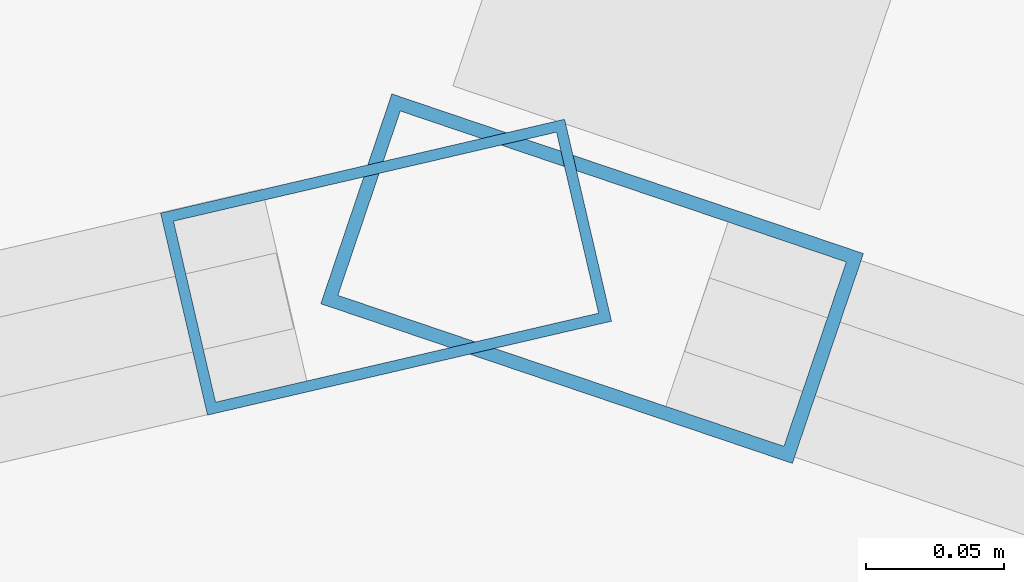
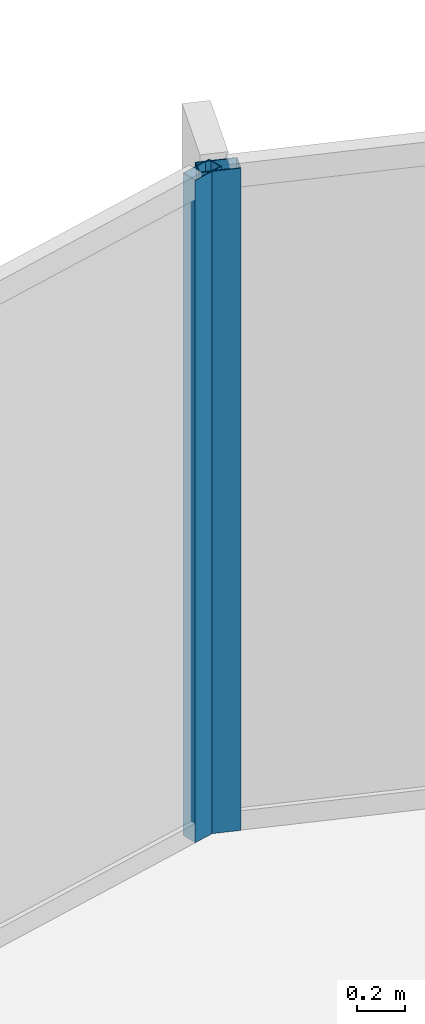
# One storey, part 23 of 31: 2 members, 2 elements without a shape of their own.
"""IFC4 building model written with IfcOpenShell, lengths in metres."""

from ifc_helpers import new_model, si_unit, direction, frame, origin, origin_2d, place, context, subcontext, project, spatial, hollow_rectangle, extrude, material, layer, layer_set, material_profile, profile_set, type_object, element, aggregate, save


model = new_model("IFC4")

# Units and contexts
model_context = context("Model", 3, precision=1e-05, world=origin(), true_north=direction((0.0, 1.0)))
body_context = subcontext(model_context, "Body", "Model", "MODEL_VIEW")
ifc_project = project(units=[si_unit("LENGTHUNIT", "METRE"), si_unit("AREAUNIT", "SQUARE_METRE"), si_unit("VOLUMEUNIT", "CUBIC_METRE"), si_unit("PLANEANGLEUNIT", "RADIAN"), si_unit("MASSUNIT", "GRAM", prefix="KILO")], contexts=[model_context])

# Site, building, storey
site_placement = place(None, origin())
site = spatial("IfcSite", under=ifc_project, at=site_placement, CompositionType="ELEMENT")
building_placement = place(site_placement, origin())
building = spatial("IfcBuilding", under=site, at=building_placement, Name="Kazevale Care Tower and Concert Hall", CompositionType="ELEMENT")
storey_placement = place(building_placement, frame((0.0, 0.0, 78.0)))
storey = spatial("IfcBuildingStorey", under=building, at=storey_placement, Name="L20", CompositionType="ELEMENT", Elevation=78.0)

# Curtain wall, member
ifc_material_1 = material(Name="Aluminium 6063-T6 and Low-E Glass", Category="aluminium")
ifc_layer_1 = layer(ifc_material_1, 0.179931640625)
ifc_layer_set_1 = layer_set([ifc_layer_1], Name="Aluminium 6063-T6 and Low-E Glass")
curtain_wall_type_1 = type_object("IfcCurtainWallType", Name="Convex Checkerboard Finned Curtain Wall CW-2", PredefinedType="NOTDEFINED", material=ifc_layer_set_1)
curtain_wall_1_placement = place(storey_placement, origin())
curtain_wall_1 = element("IfcCurtainWall", 1, at=curtain_wall_1_placement, inside=storey, type_object=curtain_wall_type_1, Name="cw:L20:f16", PredefinedType="NOTDEFINED")
ifc_material_2 = material(Name="Aluminium 6063-T6", Category="aluminium")
ifc_material_profile_1 = material_profile(ifc_material_2, hollow_rectangle(XDim=0.080078125, YDim=0.179931640625, WallThickness=0.0048828125, at=origin_2d()), Name="ALU80x180x5")
ifc_profile_set_1 = profile_set([ifc_material_profile_1], Name="Aluminium 6063-T6")
member_type_1 = type_object("IfcMemberType", Name="CW-2 Mullion ALU80x180x5", PredefinedType="MULLION", material=ifc_profile_set_1)
member_1_placement = place(storey_placement, frame((44.993896484375, 66.1552734375, 0.0), z_axis=(0.0, 0.0, 1.0), x_axis=(0.320635577685, 0.947202632135, 0.0)))
member_1 = element("IfcMember", 2, at=member_1_placement, type_object=member_type_1, Name="CW-2 mullion 1", PredefinedType="MULLION", context=body_context, shape_type="SweptSolid", body=[
    extrude(hollow_rectangle(XDim=0.080078125, YDim=0.179931640625, WallThickness=0.0048828125, at=origin_2d()), origin(), (0.0, 0.0, 1.0), 3.360107421875),
])
aggregate(curtain_wall_1, [member_1])

ifc_layer_2 = layer(ifc_material_1, 0.179931640625)
ifc_layer_set_2 = layer_set([ifc_layer_2], Name="Aluminium 6063-T6 and Low-E Glass")
curtain_wall_type_2 = type_object("IfcCurtainWallType", Name="Convex Recessed Sunroom Curtain Wall CW-3", PredefinedType="NOTDEFINED", material=ifc_layer_set_2)
curtain_wall_2_placement = place(storey_placement, origin())
curtain_wall_2 = element("IfcCurtainWall", 3, at=curtain_wall_2_placement, inside=storey, type_object=curtain_wall_type_2, Name="cw:L20:f15", PredefinedType="NOTDEFINED")
ifc_material_profile_2 = material_profile(ifc_material_2, hollow_rectangle(XDim=0.074951171875, YDim=0.14990234375, WallThickness=0.00390625, at=origin_2d()), Name="ALU75x150x4")
ifc_profile_set_2 = profile_set([ifc_material_profile_2], Name="Aluminium 6063-T6")
member_type_2 = type_object("IfcMemberType", Name="CW-3 Mullion ALU75x150x4", PredefinedType="MULLION", material=ifc_profile_set_2)
member_2_placement = place(storey_placement, frame((44.91943359375, 66.159423828125, 0.0), z_axis=(0.0, 0.0, 1.0), x_axis=(-0.226287348061, 0.9740605916, 0.0)))
member_2 = element("IfcMember", 4, at=member_2_placement, type_object=member_type_2, Name="CW-3 mullion 2", PredefinedType="MULLION", context=body_context, shape_type="SweptSolid", body=[
    extrude(hollow_rectangle(XDim=0.074951171875, YDim=0.14990234375, WallThickness=0.00390625, at=origin_2d()), origin(), (0.0, 0.0, 1.0), 3.360107421875),
])
aggregate(curtain_wall_2, [member_2])

save(model, "model.ifc")
